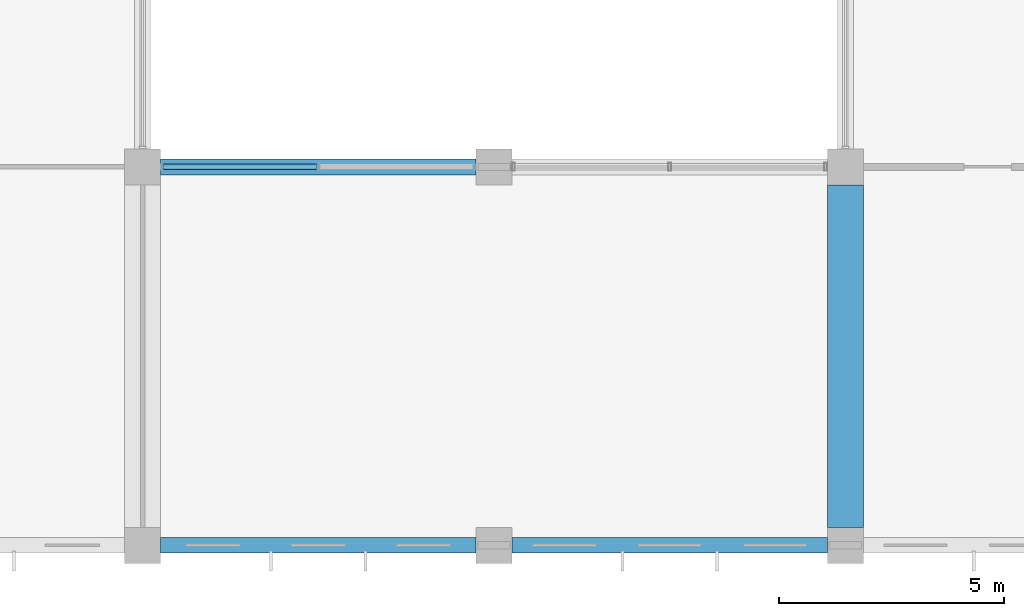
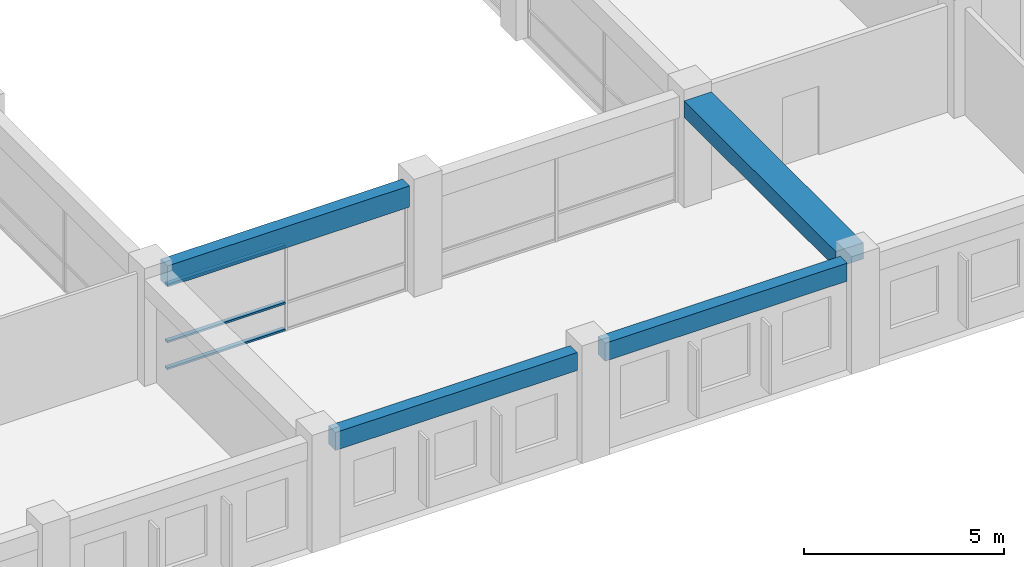
# One storey, part 12 of 50: 4 beams, 3 members, 1 element without a shape of its own.
"""IFC4 building model written with IfcOpenShell, lengths in metres."""

from ifc_helpers import new_model, si_unit, direction, frame, origin, origin_2d, place, context, subcontext, project, spatial, rectangle, hollow_rectangle, extrude, material, material_profile, profile_set, type_object, element, aggregate, save


model = new_model("IFC4")

# Units and contexts
model_context = context("Model", 3, precision=1e-05, world=origin(), true_north=direction((0.0, 1.0)))
body_context = subcontext(model_context, "Body", "Model", "MODEL_VIEW")
ifc_project = project(units=[si_unit("LENGTHUNIT", "METRE"), si_unit("AREAUNIT", "SQUARE_METRE"), si_unit("VOLUMEUNIT", "CUBIC_METRE"), si_unit("PLANEANGLEUNIT", "RADIAN"), si_unit("MASSUNIT", "GRAM", prefix="KILO"), si_unit("THERMODYNAMICTEMPERATUREUNIT", "KELVIN"), si_unit("POWERUNIT", "WATT")], contexts=[model_context])

# Site, building, storey
site_placement = place(None, origin())
site = spatial("IfcSite", under=ifc_project, at=site_placement, CompositionType="ELEMENT")
building_placement = place(site_placement, origin())
building = spatial("IfcBuilding", under=site, at=building_placement, Name="Srebrne Nadtorze General Hospital", CompositionType="ELEMENT")
storey_placement = place(building_placement, frame((0.0, 0.0, 14.39990234375)))
storey = spatial("IfcBuildingStorey", under=building, at=storey_placement, Name="L03", CompositionType="ELEMENT", Elevation=14.39990234375)

# Curtain wall, members
ifc_material_1 = material(Name="Anodised Aluminium", Category="aluminium")
curtain_wall_type = type_object("IfcCurtainWallType", Name="Unitised curtain wall 7000x2620", PredefinedType="NOTDEFINED", material=ifc_material_1)
curtain_wall_placement = place(storey_placement, origin())
curtain_wall = element("IfcCurtainWall", 1, at=curtain_wall_placement, inside=storey, type_object=curtain_wall_type, Name="Curtain wall CW-090", PredefinedType="NOTDEFINED")
ifc_material_2 = material(Name="Anodised Aluminium", Category="aluminium")
ifc_material_profile_1 = material_profile(ifc_material_2, hollow_rectangle(XDim=0.06005859375, YDim=0.1201171875, WallThickness=0.00390625, at=origin_2d()), Name="AL-TRN-60x120")
ifc_profile_set_1 = profile_set([ifc_material_profile_1], Name="Anodised Aluminium")
member_type = type_object("IfcMemberType", Name="Curtain transom 60x120", PredefinedType="USERDEFINED", material=ifc_profile_set_1)
member_1_placement = place(storey_placement, frame((117.4599609375, 8.39990234375, 0.030029296875), z_axis=(1.0, 0.0, 0.0), x_axis=(0.0, 0.0, 1.0)))
member_1 = element("IfcMember", 2, at=member_1_placement, type_object=member_type, Name="CW-090 transom 1.1", ObjectType="TRANSOM", PredefinedType="USERDEFINED", context=body_context, shape_type="SweptSolid", body=[
    extrude(hollow_rectangle(XDim=0.06005859375, YDim=0.1201171875, WallThickness=0.00390625, at=origin_2d()), origin(), (0.0, 0.0, 1.0), 3.41015625),
])
member_2_placement = place(storey_placement, frame((117.4599609375, 8.39990234375, 0.85009765625), z_axis=(1.0, 0.0, 0.0), x_axis=(0.0, 0.0, 1.0)))
member_2 = element("IfcMember", 3, at=member_2_placement, type_object=member_type, Name="CW-090 transom 1.2", ObjectType="TRANSOM", PredefinedType="USERDEFINED", context=body_context, shape_type="SweptSolid", body=[
    extrude(hollow_rectangle(XDim=0.06005859375, YDim=0.1201171875, WallThickness=0.00390625, at=origin_2d()), origin(), (0.0, 0.0, 1.0), 3.41015625),
])
member_3_placement = place(storey_placement, frame((117.4599609375, 8.39990234375, 2.590087890625), z_axis=(1.0, 0.0, 0.0), x_axis=(0.0, 0.0, 1.0)))
member_3 = element("IfcMember", 4, at=member_3_placement, type_object=member_type, Name="CW-090 transom 1.3", ObjectType="TRANSOM", PredefinedType="USERDEFINED", context=body_context, shape_type="SweptSolid", body=[
    extrude(hollow_rectangle(XDim=0.06005859375, YDim=0.1201171875, WallThickness=0.00390625, at=origin_2d()), origin(), (0.0, 0.0, 1.0), 3.41015625),
])
aggregate(curtain_wall, [member_1, member_2, member_3])

# Beams
ifc_material_3 = material(Name="Concrete C35/45", Category="concrete")
ifc_material_profile_2 = material_profile(ifc_material_3, rectangle(XDim=0.35009765625, YDim=0.64990234375, at=origin_2d()), Name="RC-BM-350x650")
ifc_profile_set_2 = profile_set([ifc_material_profile_2], Name="Concrete C35/45")
beam_type_1 = type_object("IfcBeamType", Name="Edge beam RC 350x650", PredefinedType="BEAM", material=ifc_profile_set_2)
beam_1_placement = place(storey_placement, frame((117.39990234375, 8.39990234375, 2.945068359375), z_axis=(1.0, 0.0, 0.0), x_axis=(0.0, 1.0, 0.0)))
element("IfcBeam", 5, at=beam_1_placement, inside=storey, type_object=beam_type_1, Name="Beam BM-L03-X-0729", PredefinedType="BEAM", context=body_context, shape_type="SweptSolid", body=[
    extrude(rectangle(XDim=0.35009765625, YDim=0.64990234375, at=origin_2d()), origin(), (0.0, 0.0, 1.0), 7.0),
])
ifc_material_4 = material(Name="Concrete C40/50", Category="concrete")
ifc_material_profile_3 = material_profile(ifc_material_4, rectangle(XDim=0.800048828125, YDim=0.5, at=origin_2d()), Name="RC-BM-800x500")
ifc_profile_set_3 = profile_set([ifc_material_profile_3], Name="Concrete C40/50")
beam_type_2 = type_object("IfcBeamType", Name="Primary beam RC 800x500", PredefinedType="BEAM", material=ifc_profile_set_3)
beam_2_placement = place(storey_placement, frame((132.60009765625, 0.39990234375, 3.02001953125), z_axis=(0.0, 1.0, 0.0), x_axis=(-1.0, 0.0, 0.0)))
element("IfcBeam", 6, at=beam_2_placement, inside=storey, type_object=beam_type_2, Name="Beam BM-L03-Y-0837", PredefinedType="BEAM", context=body_context, shape_type="SweptSolid", body=[
    extrude(rectangle(XDim=0.800048828125, YDim=0.5, at=origin_2d()), origin(), (0.0, 0.0, 1.0), 7.60009765625),
])
ifc_material_5 = material(Name="Concrete C35/45", Category="concrete")
ifc_material_profile_4 = material_profile(ifc_material_5, rectangle(XDim=0.35009765625, YDim=0.550048828125, at=origin_2d()), Name="RC-BM-350x550")
ifc_profile_set_4 = profile_set([ifc_material_profile_4], Name="Concrete C35/45")
beam_type_3 = type_object("IfcBeamType", Name="Spandrel lintel beam RC 350x550", PredefinedType="LINTEL", material=ifc_profile_set_4)
for number, where, z_axis, x_axis, name in (
    (7, (117.39990234375, 0.0, 2.9951171875), (1.0, 0.0, 0.0), (0.0, 1.0, 0.0), "Beam BM-L03-X-0725"),
    (8, (125.199951171875, 0.0, 2.9951171875), (1.0, 0.0, 0.0), (0.0, 1.0, 0.0), "Beam BM-L03-X-0726"),
):
    element("IfcBeam", number, at=place(storey_placement, frame(where, z_axis=z_axis, x_axis=x_axis)), inside=storey, type_object=beam_type_3, Name=name, PredefinedType="LINTEL", context=body_context, shape_type="SweptSolid", body=[
        extrude(rectangle(XDim=0.35009765625, YDim=0.550048828125, at=origin_2d()), origin(), (0.0, 0.0, 1.0), 7.0),
    ])

save(model, "model.ifc")
